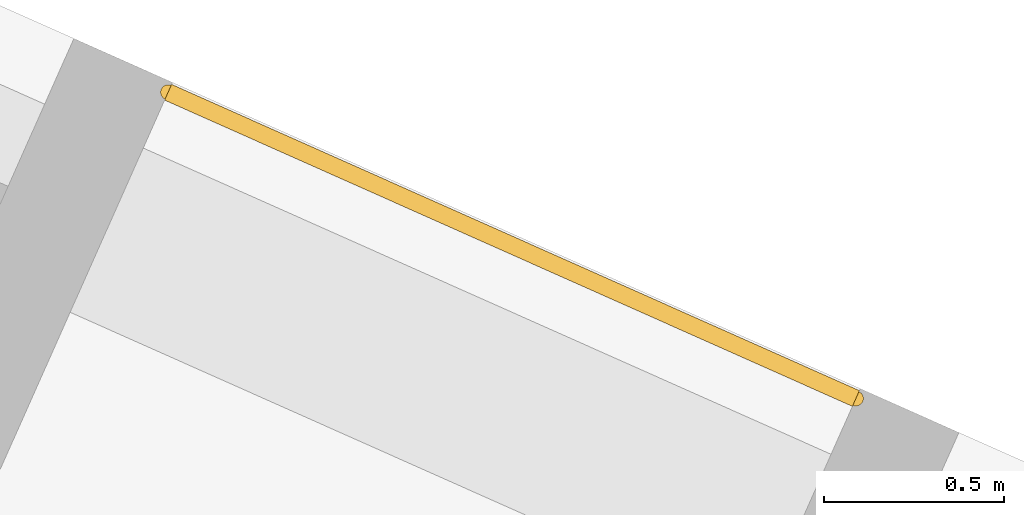
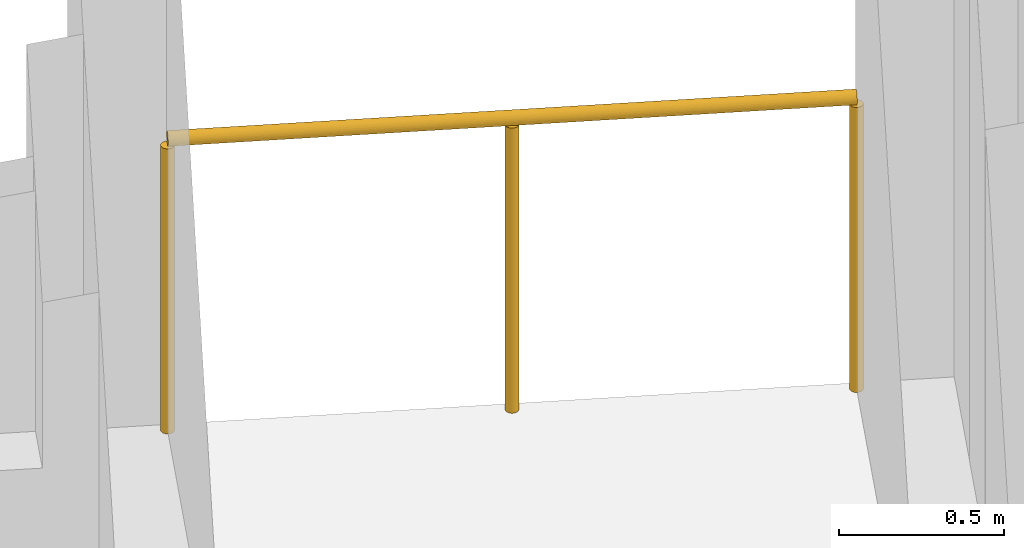
# One storey, part 14 of 14: 1 railing.
"""IFC4 building model written with IfcOpenShell, lengths in metres."""

import ifcopenshell
import ifcopenshell.guid

model = None  # the IFC model being written
_history = None  # IfcOwnerHistory: only IFC2X3 demands one
_inside = {}  # id of a spatial element -> (the spatial element, [elements in it])
_under = {}  # id of a project, library or spatial element -> (it, [spatial elements below it])
_declared = {}  # id of a project -> (the project, [libraries it declares])
_typed = {}  # id of a type object -> (the type object, [elements of that type])
_made_of = {}  # id of a material, layer set ... -> (it, [elements and type objects made of it])


def new_model(schema):
    """Start an empty IFC model of exactly this schema.

    Asked for "IFC4X3", IfcOpenShell would pick the latest addendum, in which some entities
    have other attributes; the version numbers below select the first issue.
    IFC2X3 requires an IfcOwnerHistory on every rooted entity: one is made here for all.
    """
    global model, _history
    if schema == "IFC4X3":
        model = ifcopenshell.file(schema_version=(4, 3, 0, 0))
    else:
        model = ifcopenshell.file(schema=schema)
    _inside.clear()
    _under.clear()
    _declared.clear()
    _typed.clear()
    _made_of.clear()
    _history = None
    if model.schema == "IFC2X3":
        org = make("IfcOrganization", Name="unknown")
        user = make(
            "IfcPersonAndOrganization",
            ThePerson=make("IfcPerson", FamilyName="unknown"),
            TheOrganization=org,
        )
        app = make(
            "IfcApplication",
            ApplicationDeveloper=org,
            Version="unknown",
            ApplicationFullName="unknown",
            ApplicationIdentifier="unknown",
        )
        _history = make(
            "IfcOwnerHistory",
            OwningUser=user,
            OwningApplication=app,
            ChangeAction="ADDED",
            CreationDate=0,
        )
    return model


def make(cls, **values):
    """One entity of the class cls with the attributes given. An attribute that is None is left unset."""
    return model.create_entity(
        cls, **{name: value for name, value in values.items() if value is not None}
    )


def rooted(cls, **values):
    """An entity with a GlobalId (a new one), such as an element, a storey or a relation."""
    return make(cls, GlobalId=ifcopenshell.guid.new(), OwnerHistory=_history, **values)


def si_unit(unit_type, name, prefix=None):
    """IfcSIUnit, for example si_unit("LENGTHUNIT", "METRE", prefix="MILLI")."""
    return make("IfcSIUnit", UnitType=unit_type, Prefix=prefix, Name=name)


def assignment(units):
    """IfcUnitAssignment: the units of a project."""
    return None if units is None else make("IfcUnitAssignment", Units=units)


def point(xyz):
    """IfcCartesianPoint."""
    return None if xyz is None else make("IfcCartesianPoint", Coordinates=xyz)


def direction(xyz):
    """IfcDirection."""
    return None if xyz is None else make("IfcDirection", DirectionRatios=xyz)


def frame(location, z_axis=None, x_axis=None):
    """IfcAxis2Placement3D, a coordinate frame: its origin and axes. An axis left out is left unset."""
    return make(
        "IfcAxis2Placement3D",
        Location=point(location),
        Axis=direction(z_axis),
        RefDirection=direction(x_axis),
    )


def frame_2d(location, x_axis=None):
    """IfcAxis2Placement2D, a coordinate frame in the plane: its origin and x axis."""
    return make(
        "IfcAxis2Placement2D", Location=point(location), RefDirection=direction(x_axis)
    )


def origin():
    """The frame at (0, 0, 0) with its axes left unset."""
    return frame((0.0, 0.0, 0.0))


def origin_2d():
    """The frame at (0, 0) in the plane with its x axis left unset."""
    return frame_2d((0.0, 0.0))


def place(relative_to, where):
    """IfcLocalPlacement: puts the frame where relative to a parent placement (None: the world)."""
    return make(
        "IfcLocalPlacement", PlacementRelTo=relative_to, RelativePlacement=where
    )


def context(
    kind, dimensions, precision=None, world=None, true_north=None, identifier=None
):
    """IfcGeometricRepresentationContext, for example the 3D "Model" context."""
    return make(
        "IfcGeometricRepresentationContext",
        ContextIdentifier=identifier,
        ContextType=kind,
        CoordinateSpaceDimension=dimensions,
        Precision=precision,
        WorldCoordinateSystem=world,
        TrueNorth=true_north,
    )


def subcontext(parent, identifier, kind, view, scale=None):
    """IfcGeometricRepresentationSubContext, for example "Body" below "Model"."""
    return make(
        "IfcGeometricRepresentationSubContext",
        ContextIdentifier=identifier,
        ContextType=kind,
        ParentContext=parent,
        TargetScale=scale,
        TargetView=view,
    )


def project(units=None, contexts=None):
    """IfcProject with its units and contexts."""
    return rooted(
        "IfcProject",
        Name="project",
        RepresentationContexts=contexts,
        UnitsInContext=assignment(units),
    )


def spatial(cls, under=None, at=None, **own):
    """A site, building, storey or space (cls), placed at a placement, below another one or the project."""
    s = rooted(cls, ObjectPlacement=at, **own)
    if under is not None:
        _under.setdefault(under.id(), (under, []))[1].append(s)
    return s


def profile(cls, at=None, kind="AREA", **sizes):
    """A parametric profile (cls). Its sizes go by their IFC names, for example OverallWidth=200.0."""
    return make(cls, ProfileType=kind, Position=at, **sizes)


def circle(**sizes):
    """IfcCircleProfileDef."""
    return profile("IfcCircleProfileDef", **sizes)


def extrude(swept, where, along, depth):
    """IfcExtrudedAreaSolid: the profile swept, set in the frame where, extruded along a direction by depth."""
    return make(
        "IfcExtrudedAreaSolid",
        SweptArea=swept,
        Position=where,
        ExtrudedDirection=direction(along),
        Depth=depth,
    )


def shape(context_of_items, identifier, shape_type, items):
    """IfcShapeRepresentation: the items that make up one representation, for example the "Body"."""
    return make(
        "IfcShapeRepresentation",
        ContextOfItems=context_of_items,
        RepresentationIdentifier=identifier,
        RepresentationType=shape_type,
        Items=items,
    )


def material(Name=None, Category=None):
    """IfcMaterial."""
    return make("IfcMaterial", Name=Name, Category=Category)


def made_of(thing, what):
    """Note that an element or type object is made of a material, layer set ...; save() writes the relation."""
    if what is not None:
        _made_of.setdefault(what.id(), (what, []))[1].append(thing)
    return thing


def type_object(cls, material=None, **own):
    """A type object (cls), such as IfcWallType, which elements share."""
    return made_of(rooted(cls, **own), material)


def element(
    cls,
    number,
    at=None,
    inside=None,
    cuts=None,
    type_object=None,
    material=None,
    context=None,
    identifier="Body",
    shape_type=None,
    held_by="IfcProductDefinitionShape",
    body=None,
    shapes=None,
    **own,
):
    """One element of the class cls, such as IfcWall. Its Tag is "e" and its number.

    at: its placement. inside: the storey or other place that contains it. cuts: it is an
    opening in that element (IfcRelVoidsElement). A single representation is given by context,
    identifier, shape_type and body (its items); several are given by shapes. held_by: the class
    of the entity that holds the representations. save() writes the other relations.
    """
    e = rooted(cls, Tag="e%d" % number, ObjectPlacement=at, **own)
    if body is not None:
        shapes = [shape(context, identifier, shape_type, body)]
    if shapes is not None:
        e.Representation = make(held_by, Representations=shapes)
    if inside is not None:
        _inside.setdefault(inside.id(), (inside, []))[1].append(e)
    if cuts is not None:
        rooted(
            "IfcRelVoidsElement", RelatingBuildingElement=cuts, RelatedOpeningElement=e
        )
    if type_object is not None:
        _typed.setdefault(type_object.id(), (type_object, []))[1].append(e)
    return made_of(e, material)


def aggregate(whole, parts):
    """IfcRelAggregates: a whole, such as a stair, and the parts it consists of."""
    return rooted("IfcRelAggregates", RelatingObject=whole, RelatedObjects=parts)


def save(model, path):
    """Write the relations noted so far, then the file.

    IfcRelAggregates (storeys below a building ...), IfcRelContainedInSpatialStructure (elements
    in a storey), IfcRelDefinesByType, IfcRelAssociatesMaterial and IfcRelDeclares: one each for
    every whole, place, type object, material and project.
    """
    for whole, parts in _under.values():
        aggregate(whole, parts)
    for where, things in _inside.values():
        rooted(
            "IfcRelContainedInSpatialStructure",
            RelatedElements=things,
            RelatingStructure=where,
        )
    for kind, things in _typed.values():
        rooted("IfcRelDefinesByType", RelatedObjects=things, RelatingType=kind)
    for what, things in _made_of.values():
        rooted("IfcRelAssociatesMaterial", RelatedObjects=things, RelatingMaterial=what)
    for by, libraries in _declared.values():
        rooted("IfcRelDeclares", RelatingContext=by, RelatedDefinitions=libraries)
    model.write(path)


model = new_model("IFC4")

# Units and contexts
model_context = context("Model", 3, precision=1e-05, world=origin(), true_north=direction((0.0, 1.0)))
body_context = subcontext(model_context, "Body", "Model", "MODEL_VIEW")
ifc_project = project(units=[si_unit("LENGTHUNIT", "METRE"), si_unit("AREAUNIT", "SQUARE_METRE"), si_unit("VOLUMEUNIT", "CUBIC_METRE"), si_unit("PLANEANGLEUNIT", "RADIAN"), si_unit("MASSUNIT", "GRAM", prefix="KILO")], contexts=[model_context])

# Site, building, storey
site_placement = place(None, origin())
site = spatial("IfcSite", under=ifc_project, at=site_placement, CompositionType="ELEMENT")
building_placement = place(site_placement, origin())
building = spatial("IfcBuilding", under=site, at=building_placement, Name="Tramontana Tower", CompositionType="ELEMENT")
storey_placement = place(building_placement, frame((0.0, 0.0, 178.800048828125)))
storey = spatial("IfcBuildingStorey", under=building, at=storey_placement, Name="L41", CompositionType="ELEMENT", Elevation=178.800048828125)

# Railing
ifc_material = material(Name="Laminated glass balustrade", Category="glass")
railing_type = type_object("IfcRailingType", Name="GD1 Loggia glass balustrade 1100", PredefinedType="BALUSTRADE", material=ifc_material)
railing_placement = place(storey_placement, frame((26.319091796875, 6.85791015625, 0.0)))
element("IfcRailing", 1, at=railing_placement, inside=storey, type_object=railing_type, Name="Loggia balustrade L41 G4S2.1", PredefinedType="BALUSTRADE", context=body_context, shape_type="SweptSolid", body=[
    extrude(circle(Radius=0.02392578125, at=origin_2d()), frame((0.0, 0.0, 1.076171875), z_axis=(-0.913537312596, 0.406754936657, 0.0), x_axis=(-0.406754936657, -0.913537312596, 0.0)), (0.0, 0.0, 1.0), 2.09423828125),
    extrude(circle(Radius=0.02099609375, at=origin_2d()), origin(), (0.0, 0.0, 1.0), 1.052001953125),
    extrude(circle(Radius=0.02099609375, at=origin_2d()), frame((-0.95654296875, 0.42578125, 0.0)), (0.0, 0.0, 1.0), 1.052001953125),
    extrude(circle(Radius=0.02099609375, at=origin_2d()), frame((-1.9130859375, 0.851806640625, 0.0)), (0.0, 0.0, 1.0), 1.052001953125),
])

save(model, "model.ifc")
